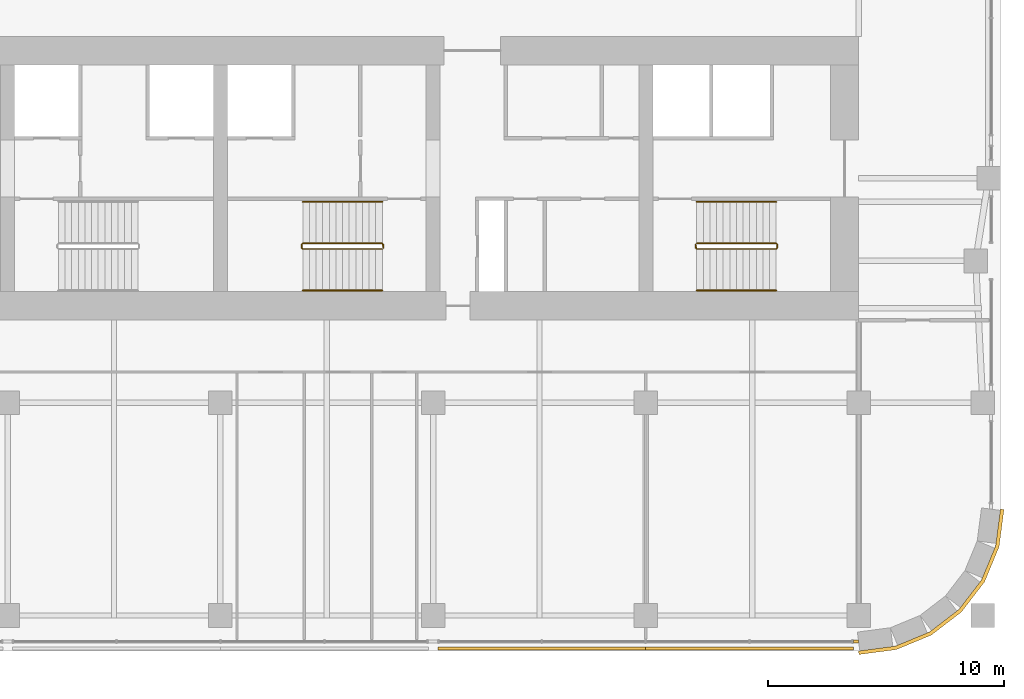
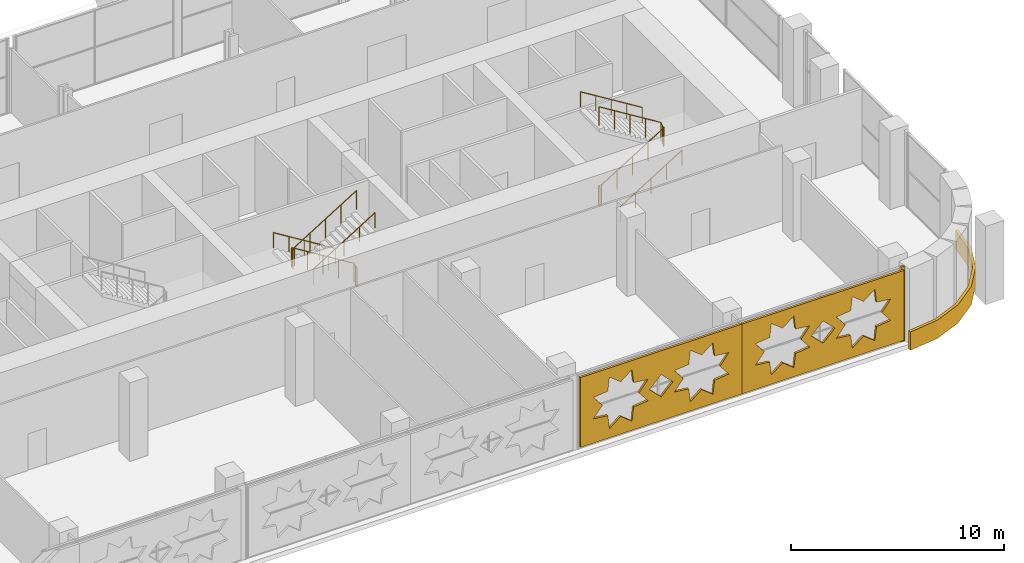
# One storey, part 21 of 24: 6 railings, 4 coverings.
"""IFC4 building model written with IfcOpenShell, lengths in metres."""

from ifc_helpers import new_model, si_unit, direction, frame, origin, origin_2d, place, context, subcontext, project, spatial, polyline, rectangle, circle, outline, extrude, material, layer, layer_set, type_object, element, save


model = new_model("IFC4")

# Units and contexts
model_context = context("Model", 3, precision=1e-05, world=origin(), true_north=direction((0.0, 1.0)))
body_context = subcontext(model_context, "Body", "Model", "MODEL_VIEW")
ifc_project = project(units=[si_unit("LENGTHUNIT", "METRE"), si_unit("AREAUNIT", "SQUARE_METRE"), si_unit("VOLUMEUNIT", "CUBIC_METRE"), si_unit("PLANEANGLEUNIT", "RADIAN"), si_unit("MASSUNIT", "GRAM", prefix="KILO")], contexts=[model_context])

# Site, building, storey
site_placement = place(None, origin())
site = spatial("IfcSite", under=ifc_project, at=site_placement, CompositionType="ELEMENT")
building_placement = place(site_placement, origin())
building = spatial("IfcBuilding", under=site, at=building_placement, Name="Zellij Exchange Tower", CompositionType="ELEMENT")
storey_placement = place(building_placement, frame((0.0, 0.0, 48.0)))
storey = spatial("IfcBuildingStorey", under=building, at=storey_placement, Name="L08", CompositionType="ELEMENT", Elevation=48.0)

# Railings
ifc_material_1 = material(Name="Stainless steel", Category="steel")
railing_type_1 = type_object("IfcRailingType", Name="CORE-RG stair guard", PredefinedType="GUARDRAIL", material=ifc_material_1)
railing_1_placement = place(storey_placement, frame((6.89990234375, -10.800048828125, 0.0)))
element("IfcRailing", 1, at=railing_1_placement, inside=storey, type_object=railing_type_1, Name="ST3 stair guard L08", PredefinedType="GUARDRAIL", context=body_context, shape_type="SweptSolid", body=[
    extrude(circle(Radius=0.02392578125, at=origin_2d()), frame((0.0, 0.0, 1.076171875), z_axis=(0.0, -1.0, 0.0), x_axis=(1.0, 0.0, 0.0)), (0.0, 0.0, 1.0), 0.14990234375),
    extrude(circle(Radius=0.02392578125, at=origin_2d()), frame((0.0, -0.14990234375, 1.076171875), z_axis=(-0.185068141132, 0.742994154839, 0.643202510111), x_axis=(-0.970351222016, -0.241699205484, 0.0)), (0.0, 0.0, 1.0), 0.26904296875),
    extrude(circle(Radius=0.02392578125, at=origin_2d()), frame((-0.0498046875, 0.050048828125, 1.2490234375), z_axis=(-0.850623216509, 0.0, 0.525775754039), x_axis=(0.0, -1.0, 0.0)), (0.0, 0.0, 1.0), 3.9501953125),
    extrude(circle(Radius=0.02392578125, at=origin_2d()), frame((-3.409912109375, 0.050048828125, 3.326171875), z_axis=(-0.707106781187, -0.707106781187, 0.0), x_axis=(0.707106781187, -0.707106781187, 0.0)), (0.0, 0.0, 1.0), 0.07080078125),
    extrude(circle(Radius=0.02392578125, at=origin_2d()), frame((-3.4599609375, 0.0, 3.326171875), z_axis=(0.0, -1.0, 0.0), x_axis=(1.0, 0.0, 0.0)), (0.0, 0.0, 1.0), 0.14990234375),
    extrude(circle(Radius=0.02392578125, at=origin_2d()), frame((-3.4599609375, -0.14990234375, 3.326171875), z_axis=(0.267629722418, -0.267629722418, 0.925607186314), x_axis=(0.707106781187, 0.707106781187, 0.0)), (0.0, 0.0, 1.0), 0.18701171875),
    extrude(circle(Radius=0.02392578125, at=origin_2d()), frame((-3.409912109375, -0.199951171875, 3.4990234375), z_axis=(0.850623216509, 0.0, 0.525775754039), x_axis=(0.0, 1.0, 0.0)), (0.0, 0.0, 1.0), 3.9501953125),
    extrude(circle(Radius=0.02099609375, at=origin_2d()), origin(), (0.0, 0.0, 1.0), 1.052001953125),
    extrude(circle(Radius=0.02099609375, at=origin_2d()), frame((0.0, -0.14990234375, 0.0)), (0.0, 0.0, 1.0), 1.052001953125),
    extrude(circle(Radius=0.02099609375, at=origin_2d()), frame((-0.0498046875, 0.050048828125, 0.173095703125)), (0.0, 0.0, 1.0), 1.052001953125),
    extrude(circle(Radius=0.02099609375, at=origin_2d()), frame((-0.889892578125, 0.050048828125, 0.6923828125)), (0.0, 0.0, 1.0), 1.052001953125),
    extrude(circle(Radius=0.02099609375, at=origin_2d()), frame((-1.72998046875, 0.050048828125, 1.21142578125)), (0.0, 0.0, 1.0), 1.052001953125),
    extrude(circle(Radius=0.02099609375, at=origin_2d()), frame((-2.56982421875, 0.050048828125, 1.730712890625)), (0.0, 0.0, 1.0), 1.052001953125),
    extrude(circle(Radius=0.02099609375, at=origin_2d()), frame((-3.409912109375, 0.050048828125, 2.25)), (0.0, 0.0, 1.0), 1.052001953125),
    extrude(circle(Radius=0.02099609375, at=origin_2d()), frame((-3.4599609375, 0.0, 2.25)), (0.0, 0.0, 1.0), 1.052001953125),
    extrude(circle(Radius=0.02099609375, at=origin_2d()), frame((-3.4599609375, -0.14990234375, 2.25)), (0.0, 0.0, 1.0), 1.052001953125),
    extrude(circle(Radius=0.02099609375, at=origin_2d()), frame((-3.409912109375, -0.199951171875, 2.423095703125)), (0.0, 0.0, 1.0), 1.052001953125),
    extrude(circle(Radius=0.02099609375, at=origin_2d()), frame((-2.56982421875, -0.199951171875, 2.9423828125)), (0.0, 0.0, 1.0), 1.052001953125),
    extrude(circle(Radius=0.02099609375, at=origin_2d()), frame((-1.72998046875, -0.199951171875, 3.46142578125)), (0.0, 0.0, 1.0), 1.052001953125),
    extrude(circle(Radius=0.02099609375, at=origin_2d()), frame((-0.889892578125, -0.199951171875, 3.980712890625)), (0.0, 0.0, 1.0), 1.052001953125),
    extrude(circle(Radius=0.02099609375, at=origin_2d()), frame((-0.0498046875, -0.199951171875, 4.5)), (0.0, 0.0, 1.0), 1.052001953125),
])
railing_2_placement = place(storey_placement, frame((20.10009765625, -10.949951171875, 0.0)))
element("IfcRailing", 2, at=railing_2_placement, inside=storey, type_object=railing_type_1, Name="ST4 stair guard L08", PredefinedType="GUARDRAIL", context=body_context, shape_type="SweptSolid", body=[
    extrude(circle(Radius=0.02392578125, at=origin_2d()), frame((0.0, 0.0, 1.076171875), z_axis=(0.0, 1.0, 0.0), x_axis=(-1.0, 0.0, 0.0)), (0.0, 0.0, 1.0), 0.14990234375),
    extrude(circle(Radius=0.02392578125, at=origin_2d()), frame((0.0, 0.14990234375, 1.076171875), z_axis=(0.185068141132, -0.742994154839, 0.643202510111), x_axis=(0.970351222016, 0.241699205484, 0.0)), (0.0, 0.0, 1.0), 0.26904296875),
    extrude(circle(Radius=0.02392578125, at=origin_2d()), frame((0.0498046875, -0.050048828125, 1.2490234375), z_axis=(0.850623216509, 0.0, 0.525775754039), x_axis=(0.0, 1.0, 0.0)), (0.0, 0.0, 1.0), 3.9501953125),
    extrude(circle(Radius=0.02392578125, at=origin_2d()), frame((3.409912109375, -0.050048828125, 3.326171875), z_axis=(0.707106781187, 0.707106781187, 0.0), x_axis=(-0.707106781187, 0.707106781187, 0.0)), (0.0, 0.0, 1.0), 0.07080078125),
    extrude(circle(Radius=0.02392578125, at=origin_2d()), frame((3.4599609375, 0.0, 3.326171875), z_axis=(0.0, 1.0, 0.0), x_axis=(-1.0, 0.0, 0.0)), (0.0, 0.0, 1.0), 0.14990234375),
    extrude(circle(Radius=0.02392578125, at=origin_2d()), frame((3.4599609375, 0.14990234375, 3.326171875), z_axis=(-0.267629722418, 0.267629722418, 0.925607186314), x_axis=(-0.707106781187, -0.707106781187, 0.0)), (0.0, 0.0, 1.0), 0.18701171875),
    extrude(circle(Radius=0.02392578125, at=origin_2d()), frame((3.409912109375, 0.199951171875, 3.4990234375), z_axis=(-0.850623216509, 0.0, 0.525775754039), x_axis=(0.0, -1.0, 0.0)), (0.0, 0.0, 1.0), 3.9501953125),
    extrude(circle(Radius=0.02099609375, at=origin_2d()), origin(), (0.0, 0.0, 1.0), 1.052001953125),
    extrude(circle(Radius=0.02099609375, at=origin_2d()), frame((0.0, 0.14990234375, 0.0)), (0.0, 0.0, 1.0), 1.052001953125),
    extrude(circle(Radius=0.02099609375, at=origin_2d()), frame((0.0498046875, -0.050048828125, 0.173095703125)), (0.0, 0.0, 1.0), 1.052001953125),
    extrude(circle(Radius=0.02099609375, at=origin_2d()), frame((0.889892578125, -0.050048828125, 0.6923828125)), (0.0, 0.0, 1.0), 1.052001953125),
    extrude(circle(Radius=0.02099609375, at=origin_2d()), frame((1.72998046875, -0.050048828125, 1.21142578125)), (0.0, 0.0, 1.0), 1.052001953125),
    extrude(circle(Radius=0.02099609375, at=origin_2d()), frame((2.56982421875, -0.050048828125, 1.730712890625)), (0.0, 0.0, 1.0), 1.052001953125),
    extrude(circle(Radius=0.02099609375, at=origin_2d()), frame((3.409912109375, -0.050048828125, 2.25)), (0.0, 0.0, 1.0), 1.052001953125),
    extrude(circle(Radius=0.02099609375, at=origin_2d()), frame((3.4599609375, 0.0, 2.25)), (0.0, 0.0, 1.0), 1.052001953125),
    extrude(circle(Radius=0.02099609375, at=origin_2d()), frame((3.4599609375, 0.14990234375, 2.25)), (0.0, 0.0, 1.0), 1.052001953125),
    extrude(circle(Radius=0.02099609375, at=origin_2d()), frame((3.409912109375, 0.199951171875, 2.423095703125)), (0.0, 0.0, 1.0), 1.052001953125),
    extrude(circle(Radius=0.02099609375, at=origin_2d()), frame((2.56982421875, 0.199951171875, 2.9423828125)), (0.0, 0.0, 1.0), 1.052001953125),
    extrude(circle(Radius=0.02099609375, at=origin_2d()), frame((1.72998046875, 0.199951171875, 3.46142578125)), (0.0, 0.0, 1.0), 1.052001953125),
    extrude(circle(Radius=0.02099609375, at=origin_2d()), frame((0.889892578125, 0.199951171875, 3.980712890625)), (0.0, 0.0, 1.0), 1.052001953125),
    extrude(circle(Radius=0.02099609375, at=origin_2d()), frame((0.0498046875, 0.199951171875, 4.5)), (0.0, 0.0, 1.0), 1.052001953125),
])
railing_type_2 = type_object("IfcRailingType", Name="CORE-RH stair handrail", PredefinedType="HANDRAIL", material=ifc_material_1)
railing_3_placement = place(storey_placement, frame((6.85009765625, -9.0, 0.173095703125)))
element("IfcRailing", 3, at=railing_3_placement, inside=storey, type_object=railing_type_2, Name="ST3 stair handrail L08", PredefinedType="HANDRAIL", context=body_context, shape_type="SweptSolid", body=[
    extrude(circle(Radius=0.02392578125, at=origin_2d()), frame((0.0, 0.0, 0.8759765625), z_axis=(-0.850623216509, 0.0, 0.525775754039), x_axis=(0.0, -1.0, 0.0)), (0.0, 0.0, 1.0), 3.9501953125),
    extrude(circle(Radius=0.02099609375, at=origin_2d()), origin(), (0.0, 0.0, 1.0), 0.851806640625),
    extrude(circle(Radius=0.02099609375, at=origin_2d()), frame((-0.840087890625, 0.0, 0.519287109375)), (0.0, 0.0, 1.0), 0.851806640625),
    extrude(circle(Radius=0.02099609375, at=origin_2d()), frame((-1.68017578125, 0.0, 1.03857421875)), (0.0, 0.0, 1.0), 0.851806640625),
    extrude(circle(Radius=0.02099609375, at=origin_2d()), frame((-2.52001953125, 0.0, 1.5576171875)), (0.0, 0.0, 1.0), 0.851806640625),
    extrude(circle(Radius=0.02099609375, at=origin_2d()), frame((-3.360107421875, 0.0, 2.076904296875)), (0.0, 0.0, 1.0), 0.851806640625),
])
for number, where, name in (
    (4, (3.489990234375, -12.75, 2.423095703125), "ST3 stair handrail L08"),
    (5, (20.14990234375, -12.75, 0.173095703125), "ST4 stair handrail L08"),
):
    element("IfcRailing", number, at=place(storey_placement, frame(where)), inside=storey, type_object=railing_type_2, Name=name, PredefinedType="HANDRAIL", context=body_context, shape_type="SweptSolid", body=[
        extrude(circle(Radius=0.02392578125, at=origin_2d()), frame((0.0, 0.0, 0.8759765625), z_axis=(0.850623216509, 0.0, 0.525775754039), x_axis=(0.0, 1.0, 0.0)), (0.0, 0.0, 1.0), 3.9501953125),
        extrude(circle(Radius=0.02099609375, at=origin_2d()), origin(), (0.0, 0.0, 1.0), 0.851806640625),
        extrude(circle(Radius=0.02099609375, at=origin_2d()), frame((0.840087890625, 0.0, 0.519287109375)), (0.0, 0.0, 1.0), 0.851806640625),
        extrude(circle(Radius=0.02099609375, at=origin_2d()), frame((1.68017578125, 0.0, 1.03857421875)), (0.0, 0.0, 1.0), 0.851806640625),
        extrude(circle(Radius=0.02099609375, at=origin_2d()), frame((2.52001953125, 0.0, 1.5576171875)), (0.0, 0.0, 1.0), 0.851806640625),
        extrude(circle(Radius=0.02099609375, at=origin_2d()), frame((3.360107421875, 0.0, 2.076904296875)), (0.0, 0.0, 1.0), 0.851806640625),
    ])
railing_4_placement = place(storey_placement, frame((23.510009765625, -9.0, 2.423095703125)))
element("IfcRailing", 6, at=railing_4_placement, inside=storey, type_object=railing_type_2, Name="ST4 stair handrail L08", PredefinedType="HANDRAIL", context=body_context, shape_type="SweptSolid", body=[
    extrude(circle(Radius=0.02392578125, at=origin_2d()), frame((0.0, 0.0, 0.8759765625), z_axis=(-0.850623216509, 0.0, 0.525775754039), x_axis=(0.0, -1.0, 0.0)), (0.0, 0.0, 1.0), 3.9501953125),
    extrude(circle(Radius=0.02099609375, at=origin_2d()), origin(), (0.0, 0.0, 1.0), 0.851806640625),
    extrude(circle(Radius=0.02099609375, at=origin_2d()), frame((-0.840087890625, 0.0, 0.519287109375)), (0.0, 0.0, 1.0), 0.851806640625),
    extrude(circle(Radius=0.02099609375, at=origin_2d()), frame((-1.68017578125, 0.0, 1.03857421875)), (0.0, 0.0, 1.0), 0.851806640625),
    extrude(circle(Radius=0.02099609375, at=origin_2d()), frame((-2.52001953125, 0.0, 1.5576171875)), (0.0, 0.0, 1.0), 0.851806640625),
    extrude(circle(Radius=0.02099609375, at=origin_2d()), frame((-3.360107421875, 0.0, 2.076904296875)), (0.0, 0.0, 1.0), 0.851806640625),
])

# Coverings
ifc_material_2 = material(Name="Limestone cladding", Category="masonry")
ifc_layer_1 = layer(ifc_material_2, 0.14990234375)
ifc_layer_set_1 = layer_set([ifc_layer_1], Name="Limestone cladding")
covering_type_1 = type_object("IfcCoveringType", Name="ENV-CV1 Stone spandrel band 150", PredefinedType="CLADDING", material=ifc_layer_set_1)
covering_1_placement = place(storey_placement, frame((0.0, 0.0, -0.25)))
element("IfcCovering", 7, at=covering_1_placement, inside=storey, type_object=covering_type_1, Name="Stone spandrel band", PredefinedType="CLADDING", context=body_context, shape_type="SweptSolid", body=[
    extrude(outline(polyline([(27.0, -28.0), (28.552978515625, -27.795654296875), (30.0, -27.1962890625), (31.24267578125, -26.24267578125), (32.1962890625, -25.0), (32.795654296875, -23.552978515625), (33.0, -22.0), (33.14990234375, -22.009765625), (32.941650390625, -23.592041015625), (32.3271484375, -25.07568359375), (31.349609375, -26.349609375), (30.07568359375, -27.3271484375), (28.592041015625, -27.941650390625), (27.009765625, -28.14990234375), (27.0, -28.0)])), origin(), (0.0, 0.0, 1.0), 1.050048828125),
])
ifc_layer_2 = layer(ifc_material_2, 0.1201171875)
ifc_layer_set_2 = layer_set([ifc_layer_2], Name="Limestone cladding")
covering_type_2 = type_object("IfcCoveringType", Name="ENV-CV18 Glazing closer 120", PredefinedType="CLADDING", material=ifc_layer_set_2)
covering_2_placement = place(storey_placement, frame((26.883056640625, -27.60009765625, 0.0), z_axis=(0.0, 0.0, 1.0), x_axis=(1.0, 0.0, 0.0)))
element("IfcCovering", 8, at=covering_2_placement, inside=storey, type_object=covering_type_2, Name="Glazing closer", PredefinedType="CLADDING", context=body_context, shape_type="SweptSolid", body=[
    extrude(rectangle(XDim=0.218505859375, YDim=0.1201171875, at=origin_2d()), origin(), (0.0, 0.0, 1.0), 4.300048828125),
])
ifc_material_3 = material(Name="Limestone screen", Category="masonry")
ifc_layer_3 = layer(ifc_material_3, 0.1201171875)
ifc_layer_set_3 = layer_set([ifc_layer_3], Name="Limestone screen")
covering_type_3 = type_object("IfcCoveringType", Name="ENV-SC1 Pierced stone screen 120", PredefinedType="USERDEFINED", material=ifc_layer_set_3)
for number, where, z_axis, x_axis, name in (
    (9, (9.199951171875, -27.89990234375, 0.300048828125), (0.0, 0.0, 1.0), (1.0, 0.0, 0.0), "Pierced stone screen"),
    (10, (17.98681640625, -27.89990234375, 0.300048828125), (0.0, 0.0, 1.0), (1.0, 0.0, 0.0), "Pierced stone screen"),
):
    element("IfcCovering", number, at=place(storey_placement, frame(where, z_axis=z_axis, x_axis=x_axis)), inside=storey, type_object=covering_type_3, Name=name, ObjectType="SCREEN", PredefinedType="USERDEFINED", context=body_context, shape_type="SweptSolid", body=[
        extrude(outline(polyline([(0.0, 0.0), (8.786865234375, 0.0), (8.786865234375, 4.0), (0.0, 4.0), (0.0, 0.0)]), holes=[polyline([(3.6748046875, 2.6123046875), (2.898193359375, 2.701416015625), (2.80908203125, 3.478271484375), (2.19677734375, 2.991943359375), (1.58447265625, 3.478271484375), (1.495361328125, 2.701416015625), (0.718505859375, 2.6123046875), (1.20458984375, 2.0), (0.718505859375, 1.3876953125), (1.495361328125, 1.298583984375), (1.58447265625, 0.521728515625), (2.19677734375, 1.008056640625), (2.80908203125, 0.521728515625), (2.898193359375, 1.298583984375), (3.6748046875, 1.3876953125), (3.188720703125, 2.0), (3.6748046875, 2.6123046875)]), polyline([(8.068359375, 2.6123046875), (7.29150390625, 2.701416015625), (7.202392578125, 3.478271484375), (6.590087890625, 2.991943359375), (5.977783203125, 3.478271484375), (5.888671875, 2.701416015625), (5.112060546875, 2.6123046875), (5.59814453125, 2.0), (5.112060546875, 1.3876953125), (5.888671875, 1.298583984375), (5.977783203125, 0.521728515625), (6.590087890625, 1.008056640625), (7.202392578125, 0.521728515625), (7.29150390625, 1.298583984375), (8.068359375, 1.3876953125), (7.582275390625, 2.0), (8.068359375, 2.6123046875)]), polyline([(5.033447265625, 2.0), (4.393310546875, 2.639892578125), (3.75341796875, 2.0), (4.393310546875, 1.360107421875), (5.033447265625, 2.0)])]), frame((0.0, 0.06005859375, 0.0), z_axis=(0.0, -1.0, 0.0), x_axis=(1.0, 0.0, 0.0)), (0.0, 0.0, 1.0), 0.1201171875),
    ])

save(model, "model.ifc")
